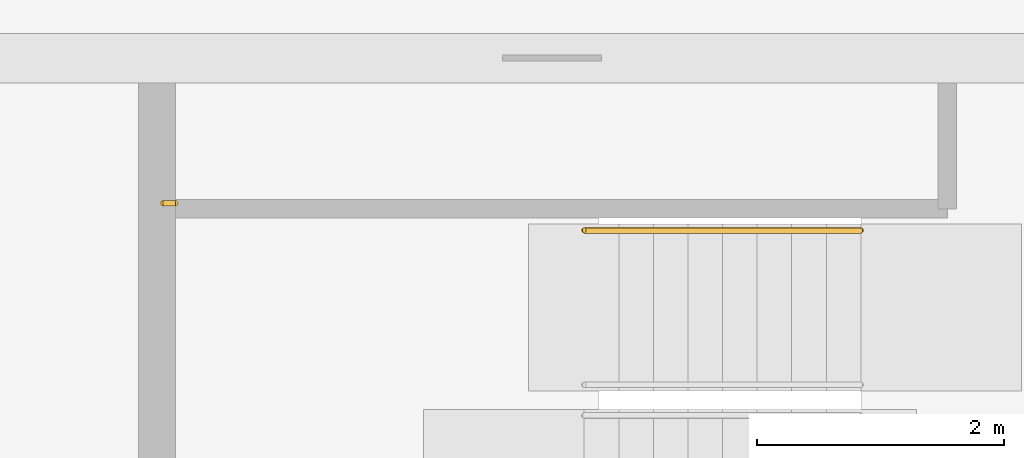
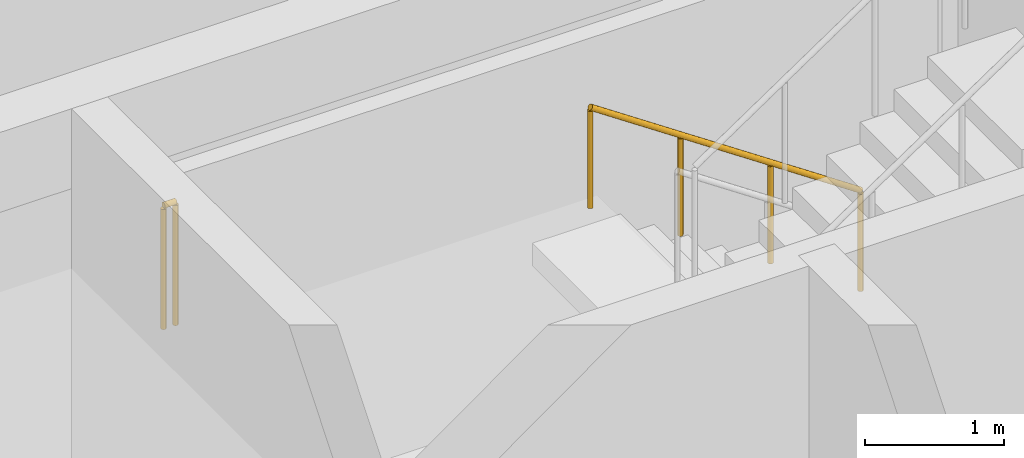
# One storey, part 10 of 11: 2 railings.
"""IFC4 building model written with IfcOpenShell, lengths in metres."""

from ifc_helpers import new_model, si_unit, direction, frame, origin, origin_2d, place, context, subcontext, project, spatial, circle, extrude, material, type_object, element, save


model = new_model("IFC4")

# Units and contexts
model_context = context("Model", 3, precision=1e-05, world=origin(), true_north=direction((0.0, 1.0)))
body_context = subcontext(model_context, "Body", "Model", "MODEL_VIEW")
ifc_project = project(units=[si_unit("LENGTHUNIT", "METRE"), si_unit("AREAUNIT", "SQUARE_METRE"), si_unit("VOLUMEUNIT", "CUBIC_METRE"), si_unit("PLANEANGLEUNIT", "RADIAN"), si_unit("MASSUNIT", "GRAM", prefix="KILO")], contexts=[model_context])

# Site, building, storey
site_placement = place(None, origin())
site = spatial("IfcSite", under=ifc_project, at=site_placement, CompositionType="ELEMENT")
building_placement = place(site_placement, origin())
building = spatial("IfcBuilding", under=site, at=building_placement, Name="Windrow Commons", CompositionType="ELEMENT")
storey_placement = place(building_placement, frame((0.0, 0.0, 281.2)))
storey = spatial("IfcBuildingStorey", under=building, at=storey_placement, Name="L77", CompositionType="ELEMENT", Elevation=281.2)

# Railings
ifc_material_1 = material(Name="Steel S355", Category="steel")
railing_type_1 = type_object("IfcRailingType", Name="Core stair guard 1100", PredefinedType="GUARDRAIL", material=ifc_material_1)
railing_1_placement = place(storey_placement, frame((64.95, 63.825, 1.7)))
element("IfcRailing", 1, at=railing_1_placement, inside=storey, type_object=railing_type_1, Name="L77 ST-A2 stair guard 3", PredefinedType="GUARDRAIL", context=body_context, shape_type="SweptSolid", body=[
    extrude(circle(Radius=0.024, at=origin_2d()), frame((0.0, 0.0, 1.076), z_axis=(-1.0, 0.0, 0.0), x_axis=(0.0, -1.0, 0.0)), (0.0, 0.0, 1.0), 0.1),
    extrude(circle(Radius=0.021, at=origin_2d()), origin(), (0.0, 0.0, 1.0), 1.052),
    extrude(circle(Radius=0.021, at=origin_2d()), frame((-0.1, 0.0, 0.0)), (0.0, 0.0, 1.0), 1.052),
])
ifc_material_2 = material(Name="Steel S355", Category="steel")
railing_type_2 = type_object("IfcRailingType", Name="Core stair handrail 900", PredefinedType="HANDRAIL", material=ifc_material_2)
railing_2_placement = place(storey_placement, frame((70.5, 63.605, 0.1889)))
element("IfcRailing", 2, at=railing_2_placement, inside=storey, type_object=railing_type_2, Name="L77 ST-A2 stair handrail 1", PredefinedType="HANDRAIL", context=body_context, shape_type="SweptSolid", body=[
    extrude(circle(Radius=0.024, at=origin_2d()), frame((0.0, 0.0, 0.876), z_axis=(-0.8290030985, 0.0, 0.5592440099), x_axis=(0.0, -1.0, 0.0)), (0.0, 0.0, 1.0), 2.702),
    extrude(circle(Radius=0.021, at=origin_2d()), origin(), (0.0, 0.0, 1.0), 0.852),
    extrude(circle(Radius=0.021, at=origin_2d()), frame((-0.7467, 0.0, 0.5037)), (0.0, 0.0, 1.0), 0.852),
    extrude(circle(Radius=0.021, at=origin_2d()), frame((-1.4933, 0.0, 1.0074)), (0.0, 0.0, 1.0), 0.852),
    extrude(circle(Radius=0.021, at=origin_2d()), frame((-2.24, 0.0, 1.5111)), (0.0, 0.0, 1.0), 0.852),
])

save(model, "model.ifc")
